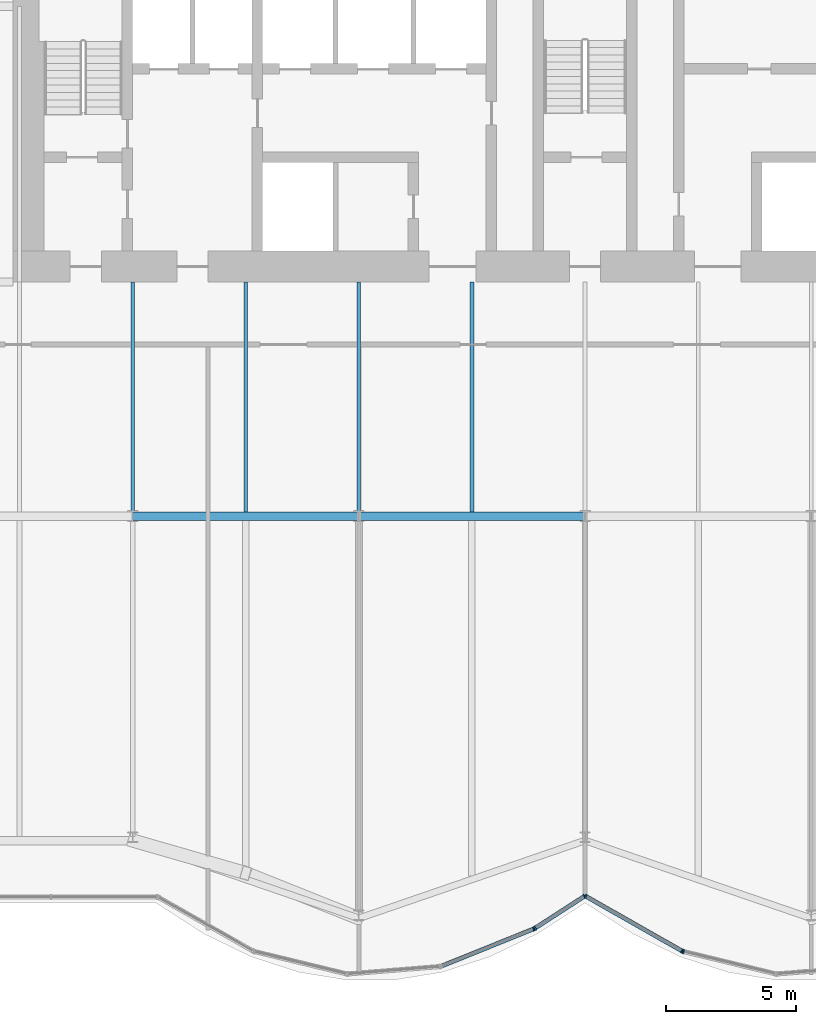
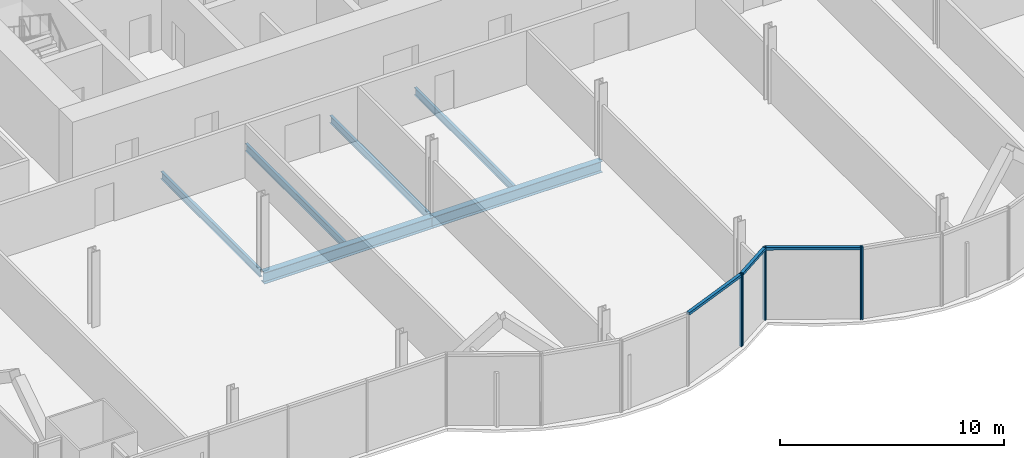
# One storey, part 7 of 21: 9 members, 6 beams, 2 elements without a shape of their own.
"""IFC4 building model written with IfcOpenShell, lengths in metres."""

from ifc_helpers import new_model, si_unit, direction, frame, origin, origin_2d, place, context, subcontext, project, spatial, rectangle, i_section, extrude, material, material_profile, profile_set, type_object, element, aggregate, save


model = new_model("IFC4")

# Units and contexts
model_context = context("Model", 3, precision=1e-05, world=origin(), true_north=direction((0.0, 1.0)))
body_context = subcontext(model_context, "Body", "Model", "MODEL_VIEW")
ifc_project = project(units=[si_unit("LENGTHUNIT", "METRE"), si_unit("AREAUNIT", "SQUARE_METRE"), si_unit("VOLUMEUNIT", "CUBIC_METRE"), si_unit("PLANEANGLEUNIT", "RADIAN"), si_unit("MASSUNIT", "GRAM", prefix="KILO")], contexts=[model_context])

# Site, building, storey
site_placement = place(None, origin())
site = spatial("IfcSite", under=ifc_project, at=site_placement, CompositionType="ELEMENT")
building_placement = place(site_placement, origin())
building = spatial("IfcBuilding", under=site, at=building_placement, Name="Bicima Exchange Tower", CompositionType="ELEMENT")
storey_placement = place(building_placement, frame((0.0, 0.0, 126.800048828125)))
storey = spatial("IfcBuildingStorey", under=building, at=storey_placement, Name="L27", CompositionType="ELEMENT", Elevation=126.800048828125)

# Beams
ifc_material_1 = material(Name="Steel ASTM A992 Gr 50", Category="steel")
ifc_material_profile_1 = material_profile(ifc_material_1, i_section(OverallWidth=0.140380859375, OverallDepth=0.40380859375, WebThickness=0.007080078125, FlangeThickness=0.01123046875, at=origin_2d()))
ifc_profile_set_1 = profile_set([ifc_material_profile_1], Name="Steel ASTM A992 Gr 50")
beam_type_1 = type_object("IfcBeamType", Name="Floor beam W16x31", PredefinedType="JOIST", material=ifc_profile_set_1)
for number, where, z_axis, x_axis, name in (
    (1, (-17.39990234375, -13.0, -0.35205078125), (0.0, -1.0, 0.0), (1.0, 0.0, 0.0), "Floor beam"),
    (2, (-13.050048828125, -13.0, -0.35205078125), (0.0, -1.0, 0.0), (1.0, 0.0, 0.0), "Floor beam"),
    (3, (-8.699951171875, -13.0, -0.35205078125), (0.0, -1.0, 0.0), (1.0, 0.0, 0.0), "Floor beam"),
    (4, (-4.35009765625, -13.0, -0.35205078125), (0.0, -1.0, 0.0), (1.0, 0.0, 0.0), "Floor beam"),
):
    element("IfcBeam", number, at=place(storey_placement, frame(where, z_axis=z_axis, x_axis=x_axis)), inside=storey, type_object=beam_type_1, Name=name, PredefinedType="JOIST", context=body_context, shape_type="SweptSolid", body=[
        extrude(i_section(OverallWidth=0.140380859375, OverallDepth=0.40380859375, WebThickness=0.007080078125, FlangeThickness=0.01123046875, at=origin_2d()), origin(), (0.0, 0.0, 1.0), 8.83740234375),
    ])

# Curtain wall, members
ifc_material_2 = material(Name="Anodised bronze aluminium", Category="aluminium")
curtain_wall_type = type_object("IfcCurtainWallType", Name="Front glass wall", PredefinedType="NOTDEFINED", material=ifc_material_2)
curtain_wall_1_placement = place(storey_placement, origin())
curtain_wall_1 = element("IfcCurtainWall", 5, at=curtain_wall_1_placement, inside=storey, type_object=curtain_wall_type, Name="Front glass wall L27 run 6", PredefinedType="NOTDEFINED")
ifc_material_profile_2 = material_profile(ifc_material_2, rectangle(XDim=0.159912109375, YDim=0.06005859375, at=origin_2d()))
ifc_profile_set_2 = profile_set([ifc_material_profile_2], Name="Anodised bronze aluminium")
member_type_1 = type_object("IfcMemberType", Name="Front glass wall mullion 60 x 160", PredefinedType="MULLION", material=ifc_profile_set_2)
member_1_placement = place(storey_placement, frame((-1.97412109375, -37.87158203125, 0.0), z_axis=(0.0, 0.0, 1.0), x_axis=(-0.374705304, 0.92714396679, 0.0)))
member_1 = element("IfcMember", 6, at=member_1_placement, type_object=member_type_1, Name="Front glass wall mullion 2", PredefinedType="MULLION", context=body_context, shape_type="SweptSolid", body=[
    extrude(rectangle(XDim=0.159912109375, YDim=0.06005859375, at=origin_2d()), origin(), (0.0, 0.0, 1.0), 3.949951171875),
])
member_2_placement = place(storey_placement, frame((-1.921142578125, -37.843994140625, 0.0), z_axis=(0.0, 0.0, 1.0), x_axis=(-0.542897457326, 0.839798994301, 0.0)))
member_2 = element("IfcMember", 7, at=member_2_placement, type_object=member_type_1, Name="Front glass wall mullion 1", PredefinedType="MULLION", context=body_context, shape_type="SweptSolid", body=[
    extrude(rectangle(XDim=0.159912109375, YDim=0.06005859375, at=origin_2d()), origin(), (0.0, 0.0, 1.0), 3.949951171875),
])
member_3_placement = place(storey_placement, frame((-0.025146484375, -36.618408203125, 0.0), z_axis=(0.0, 0.0, 1.0), x_axis=(-0.542897457326, 0.839798994301, 0.0)))
member_3 = element("IfcMember", 8, at=member_3_placement, type_object=member_type_1, Name="Front glass wall mullion 2", PredefinedType="MULLION", context=body_context, shape_type="SweptSolid", body=[
    extrude(rectangle(XDim=0.159912109375, YDim=0.06005859375, at=origin_2d()), origin(), (0.0, 0.0, 1.0), 3.949951171875),
])

curtain_wall_2_placement = place(storey_placement, origin())
curtain_wall_2 = element("IfcCurtainWall", 9, at=curtain_wall_2_placement, inside=storey, type_object=curtain_wall_type, Name="Front glass wall L27 run 11", PredefinedType="NOTDEFINED")
member_4_placement = place(storey_placement, frame((0.026123046875, -36.616943359375, 0.0), z_axis=(0.0, 0.0, 1.0), x_axis=(0.494330311331, 0.869274147378, 0.0)))
member_4 = element("IfcMember", 10, at=member_4_placement, type_object=member_type_1, Name="Front glass wall mullion 1", PredefinedType="MULLION", context=body_context, shape_type="SweptSolid", body=[
    extrude(rectangle(XDim=0.159912109375, YDim=0.06005859375, at=origin_2d()), origin(), (0.0, 0.0, 1.0), 3.949951171875),
])
member_5_placement = place(storey_placement, frame((3.7265625, -38.721435546875, 0.0), z_axis=(0.0, 0.0, 1.0), x_axis=(0.494330311331, 0.869274147378, 0.0)))
member_5 = element("IfcMember", 11, at=member_5_placement, type_object=member_type_1, Name="Front glass wall mullion 2", PredefinedType="MULLION", context=body_context, shape_type="SweptSolid", body=[
    extrude(rectangle(XDim=0.159912109375, YDim=0.06005859375, at=origin_2d()), origin(), (0.0, 0.0, 1.0), 3.949951171875),
])
member_6_placement = place(storey_placement, frame((3.781982421875, -38.743408203125, 0.0), z_axis=(0.0, 0.0, 1.0), x_axis=(0.235681529503, 0.971830343553, 0.0)))
member_6 = element("IfcMember", 12, at=member_6_placement, type_object=member_type_1, Name="Front glass wall mullion 1", PredefinedType="MULLION", context=body_context, shape_type="SweptSolid", body=[
    extrude(rectangle(XDim=0.159912109375, YDim=0.06005859375, at=origin_2d()), origin(), (0.0, 0.0, 1.0), 3.949951171875),
])

# Member
ifc_material_profile_3 = material_profile(ifc_material_2, rectangle(XDim=0.159912109375, YDim=0.139892578125, at=origin_2d()))
ifc_profile_set_3 = profile_set([ifc_material_profile_3], Name="Anodised bronze aluminium")
member_type_2 = type_object("IfcMemberType", Name="Front glass wall transom 140 x 160", PredefinedType="USERDEFINED", material=ifc_profile_set_3)
member_7_placement = place(storey_placement, frame((-5.498291015625, -39.2958984375, 3.8798828125), z_axis=(0.927140215882, 0.374714584842, 0.0), x_axis=(-0.374714584842, 0.927140215882, 0.0)))
member_7 = element("IfcMember", 13, at=member_7_placement, type_object=member_type_2, Name="Front glass wall transom 1.1", ObjectType="TRANSOM", PredefinedType="USERDEFINED", context=body_context, shape_type="SweptSolid", body=[
    extrude(rectangle(XDim=0.159912109375, YDim=0.139892578125, at=origin_2d()), origin(), (0.0, 0.0, 1.0), 3.77099609375),
])

member_8_placement = place(storey_placement, frame((-1.89599609375, -37.827880859375, 3.8798828125), z_axis=(0.839811483481, 0.542878137536, 0.0), x_axis=(-0.542878137536, 0.839811483481, 0.0)))
member_8 = element("IfcMember", 14, at=member_8_placement, type_object=member_type_2, Name="Front glass wall transom 1.1", ObjectType="TRANSOM", PredefinedType="USERDEFINED", context=body_context, shape_type="SweptSolid", body=[
    extrude(rectangle(XDim=0.159912109375, YDim=0.139892578125, at=origin_2d()), origin(), (0.0, 0.0, 1.0), 2.19775390625),
])

aggregate(curtain_wall_1, [member_1, member_7, member_2, member_3, member_8])

member_9_placement = place(storey_placement, frame((0.05224609375, -36.6318359375, 3.8798828125), z_axis=(0.869265121745, -0.494346182466, 0.0), x_axis=(0.494346182466, 0.869265121745, 0.0)))
member_9 = element("IfcMember", 15, at=member_9_placement, type_object=member_type_2, Name="Front glass wall transom 1.1", ObjectType="TRANSOM", PredefinedType="USERDEFINED", context=body_context, shape_type="SweptSolid", body=[
    extrude(rectangle(XDim=0.159912109375, YDim=0.139892578125, at=origin_2d()), origin(), (0.0, 0.0, 1.0), 4.19677734375),
])

aggregate(curtain_wall_2, [member_4, member_5, member_9, member_6])

# Beams
ifc_material_profile_4 = material_profile(ifc_material_1, i_section(OverallWidth=0.3251953125, OverallDepth=0.612060546875, WebThickness=0.0126953125, FlangeThickness=0.01904296875, at=origin_2d()))
ifc_profile_set_4 = profile_set([ifc_material_profile_4], Name="Steel ASTM A992 Gr 50")
beam_type_2 = type_object("IfcBeamType", Name="Row girder W24x104", PredefinedType="BEAM", material=ifc_profile_set_4)
for number, where, z_axis, x_axis, name in (
    (16, (-17.39990234375, -22.0, -0.4560546875), (1.0, 0.0, 0.0), (0.0, 1.0, 0.0), "Row girder"),
    (17, (-8.699951171875, -22.0, -0.4560546875), (1.0, 0.0, 0.0), (0.0, 1.0, 0.0), "Row girder"),
):
    element("IfcBeam", number, at=place(storey_placement, frame(where, z_axis=z_axis, x_axis=x_axis)), inside=storey, type_object=beam_type_2, Name=name, PredefinedType="BEAM", context=body_context, shape_type="SweptSolid", body=[
        extrude(i_section(OverallWidth=0.3251953125, OverallDepth=0.612060546875, WebThickness=0.0126953125, FlangeThickness=0.01904296875, at=origin_2d()), origin(), (0.0, 0.0, 1.0), 8.699951171875),
    ])

save(model, "model.ifc")
